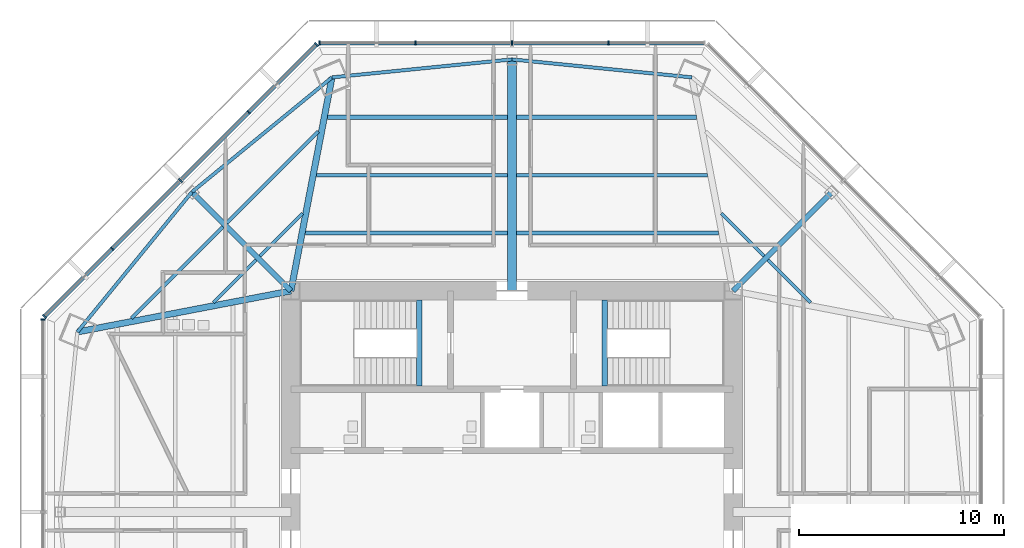
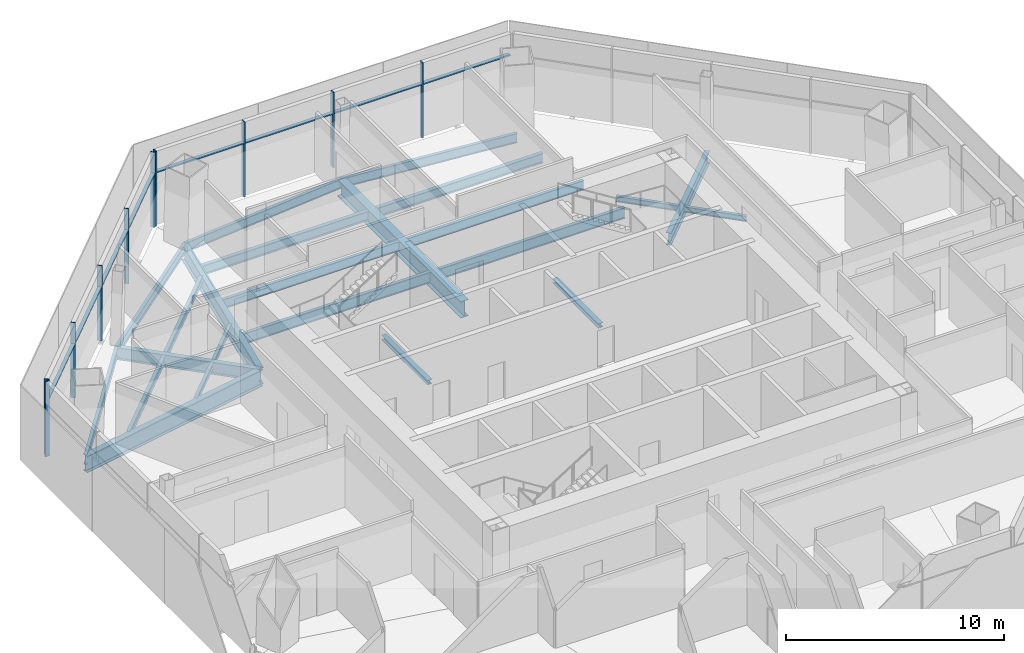
# One storey, part 5 of 14: 23 beams, 18 members, 3 elements without a shape of their own.
"""IFC4 building model written with IfcOpenShell, lengths in metres."""

from ifc_helpers import new_model, si_unit, direction, frame, origin, origin_2d, place, context, subcontext, project, spatial, rectangle, i_section, extrude, source, transform, mapped, material, material_profile, profile_set, type_object, type_shapes, element, aggregate, save


model = new_model("IFC4")

# Units and contexts
model_context = context("Model", 3, precision=1e-05, world=origin(), true_north=direction((0.0, 1.0)))
body_context = subcontext(model_context, "Body", "Model", "MODEL_VIEW")
ifc_project = project(units=[si_unit("LENGTHUNIT", "METRE"), si_unit("AREAUNIT", "SQUARE_METRE"), si_unit("VOLUMEUNIT", "CUBIC_METRE"), si_unit("PLANEANGLEUNIT", "RADIAN"), si_unit("MASSUNIT", "GRAM", prefix="KILO")], contexts=[model_context])

# Site, building, storey
site_placement = place(None, origin())
site = spatial("IfcSite", under=ifc_project, at=site_placement, CompositionType="ELEMENT")
building_placement = place(site_placement, origin())
building = spatial("IfcBuilding", under=site, at=building_placement, Name="Mashrafa Tower", CompositionType="ELEMENT")
storey_placement = place(building_placement, frame((0.0, 0.0, 180.60009765625)))
storey = spatial("IfcBuildingStorey", under=building, at=storey_placement, Name="L41", CompositionType="ELEMENT", Elevation=180.60009765625)

# Beams
ifc_material_1 = material(Name="Steel ASTM A992", Category="steel")
ifc_material_profile_1 = material_profile(ifc_material_1, i_section(OverallWidth=0.164794921875, OverallDepth=0.309814453125, WebThickness=0.005859375, FlangeThickness=0.009765625, FilletRadius=0.007568359375, at=origin_2d()), Name="W12X26")
ifc_profile_set_1 = profile_set([ifc_material_profile_1], Name="Steel ASTM A992")
beam_type_1 = type_object("IfcBeamType", Name="Beam W12X26", PredefinedType="BEAM", material=ifc_profile_set_1)
for number, where, z_axis, x_axis, name in (
    (1, (-14.59619140625, 10.226806640625, -0.320068359375), (0.707106781187, 0.707106781187, 0.0), (-0.707106781187, 0.707106781187, 0.0), "Floor beam L41 006"),
    (2, (-12.32177734375, 12.501220703125, -0.320068359375), (0.707106781187, 0.707106781187, 0.0), (-0.707106781187, 0.707106781187, 0.0), "Floor beam L41 012"),
    (3, (10.226806640625, 14.59619140625, -0.320068359375), (0.707106781187, -0.707106781187, 0.0), (0.707106781187, 0.707106781187, 0.0), "Floor beam L41 027"),
    (4, (12.501220703125, 12.32177734375, -0.320068359375), (0.707106781187, -0.707106781187, 0.0), (0.707106781187, 0.707106781187, 0.0), "Floor beam L41 030"),
):
    element("IfcBeam", number, at=place(storey_placement, frame(where, z_axis=z_axis, x_axis=x_axis)), inside=storey, type_object=beam_type_1, Name=name, PredefinedType="BEAM", context=body_context, shape_type="SweptSolid", body=[
        extrude(i_section(OverallWidth=0.164794921875, OverallDepth=0.309814453125, WebThickness=0.005859375, FlangeThickness=0.009765625, FilletRadius=0.007568359375, at=origin_2d()), origin(), (0.0, 0.0, 1.0), 2.962646484375),
    ])
ifc_material_2 = material(Name="Steel ASTM A992", Category="steel")
ifc_material_profile_2 = material_profile(ifc_material_2, i_section(OverallWidth=0.177734375, OverallDepth=0.406494140625, WebThickness=0.0078125, FlangeThickness=0.012939453125, FilletRadius=0.01025390625, at=origin_2d()), Name="W16X40")
ifc_profile_set_2 = profile_set([ifc_material_profile_2], Name="Steel ASTM A992")
beam_type_2 = type_object("IfcBeamType", Name="Beam W16X40", PredefinedType="BEAM", material=ifc_profile_set_2)
for number, where, z_axis, x_axis, name in (
    (5, (-18.586181640625, 9.459716796875, -0.368408203125), (0.707106781187, 0.707106781187, 0.0), (-0.707106781187, 0.707106781187, 0.0), "Floor beam L41 003"),
    (6, (-13.93310546875, 14.11279296875, -0.368408203125), (0.707106781187, 0.707106781187, 0.0), (-0.707106781187, 0.707106781187, 0.0), "Floor beam L41 008"),
):
    element("IfcBeam", number, at=place(storey_placement, frame(where, z_axis=z_axis, x_axis=x_axis)), inside=storey, type_object=beam_type_2, Name=name, PredefinedType="BEAM", context=body_context, shape_type="SweptSolid", body=[
        extrude(i_section(OverallWidth=0.177734375, OverallDepth=0.406494140625, WebThickness=0.0078125, FlangeThickness=0.012939453125, FilletRadius=0.01025390625, at=origin_2d()), origin(), (0.0, 0.0, 1.0), 6.326416015625),
    ])
ifc_material_3 = material(Name="Steel ASTM A992", Category="steel")
ifc_material_profile_3 = material_profile(ifc_material_3, i_section(OverallWidth=0.1650390625, OverallDepth=0.52587890625, WebThickness=0.0087890625, FlangeThickness=0.011474609375, FilletRadius=0.0126953125, at=origin_2d()), Name="W21X44")
ifc_profile_set_3 = profile_set([ifc_material_profile_3], Name="Steel ASTM A992")
beam_type_3 = type_object("IfcBeamType", Name="Beam W21X44", PredefinedType="BEAM", material=ifc_profile_set_3)
for number, where, z_axis, x_axis, name in (
    (7, (-9.556396484375, 16.455078125, -0.427978515625), (1.0, 0.0, 0.0), (0.0, 1.0, 0.0), "Floor beam L41 015"),
    (8, (0.20947265625, 16.455078125, -0.427978515625), (1.0, 0.0, 0.0), (0.0, 1.0, 0.0), "Floor beam L41 022"),
):
    element("IfcBeam", number, at=place(storey_placement, frame(where, z_axis=z_axis, x_axis=x_axis)), inside=storey, type_object=beam_type_3, Name=name, PredefinedType="BEAM", context=body_context, shape_type="SweptSolid", body=[
        extrude(i_section(OverallWidth=0.1650390625, OverallDepth=0.52587890625, WebThickness=0.0087890625, FlangeThickness=0.011474609375, FilletRadius=0.0126953125, at=origin_2d()), origin(), (0.0, 0.0, 1.0), 9.346923828125),
    ])
for number, where, z_axis, x_axis, name in (
    (9, (-15.634521484375, 15.634521484375, -0.427978515625), (-0.63335059718, -0.773864988904, 0.0), (0.773864988904, -0.63335059718, 0.0), "Spandrel beam L41 061"),
    (10, (-8.794677734375, 21.232421875, -0.427978515625), (-0.773864988904, -0.63335059718, 0.0), (0.63335059718, -0.773864988904, 0.0), "Spandrel beam L41 063"),
):
    element("IfcBeam", number, at=place(storey_placement, frame(where, z_axis=z_axis, x_axis=x_axis)), inside=storey, type_object=beam_type_3, Name=name, PredefinedType="BEAM", context=body_context, shape_type="SweptSolid", body=[
        extrude(i_section(OverallWidth=0.1650390625, OverallDepth=0.52587890625, WebThickness=0.0087890625, FlangeThickness=0.011474609375, FilletRadius=0.0126953125, at=origin_2d()), origin(), (0.0, 0.0, 1.0), 8.838623046875),
    ])
for number, where, z_axis, x_axis, name in (
    (11, (0.0, 22.110595703125, -0.427978515625), (-0.99505167472, -0.099358767287, 0.0), (0.099358767287, -0.99505167472, 0.0), "Spandrel beam L41 065"),
    (12, (8.794677734375, 21.232421875, -0.427978515625), (-0.99505167472, 0.099358767287, 0.0), (-0.099358767287, -0.99505167472, 0.0), "Spandrel beam L41 067"),
):
    element("IfcBeam", number, at=place(storey_placement, frame(where, z_axis=z_axis, x_axis=x_axis)), inside=storey, type_object=beam_type_3, Name=name, PredefinedType="BEAM", context=body_context, shape_type="SweptSolid", body=[
        extrude(i_section(OverallWidth=0.1650390625, OverallDepth=0.52587890625, WebThickness=0.0087890625, FlangeThickness=0.011474609375, FilletRadius=0.0126953125, at=origin_2d()), origin(), (0.0, 0.0, 1.0), 8.83837890625),
    ])
ifc_material_4 = material(Name="Steel ASTM A992", Category="steel")
ifc_material_profile_4 = material_profile(ifc_material_4, i_section(OverallWidth=0.209228515625, OverallDepth=0.533447265625, WebThickness=0.01025390625, FlangeThickness=0.015625, FilletRadius=0.012939453125, at=origin_2d()), Name="W21X62")
ifc_profile_set_4 = profile_set([ifc_material_profile_4], Name="Steel ASTM A992")
beam_type_4 = type_object("IfcBeamType", Name="Beam W21X62", PredefinedType="BEAM", material=ifc_profile_set_4)
for number, where, z_axis, x_axis, name in (
    (13, (-9.012939453125, 19.282958984375, -0.431884765625), (1.0, 0.0, 0.0), (0.0, 1.0, 0.0), "Floor beam L41 017"),
    (14, (0.20947265625, 19.282958984375, -0.431884765625), (1.0, 0.0, 0.0), (0.0, 1.0, 0.0), "Floor beam L41 023"),
):
    element("IfcBeam", number, at=place(storey_placement, frame(where, z_axis=z_axis, x_axis=x_axis)), inside=storey, type_object=beam_type_4, Name=name, PredefinedType="BEAM", context=body_context, shape_type="SweptSolid", body=[
        extrude(i_section(OverallWidth=0.209228515625, OverallDepth=0.533447265625, WebThickness=0.01025390625, FlangeThickness=0.015625, FilletRadius=0.012939453125, at=origin_2d()), origin(), (0.0, 0.0, 1.0), 8.803466796875),
    ])
ifc_material_5 = material(Name="Steel ASTM A992", Category="steel")
ifc_material_profile_5 = material_profile(ifc_material_5, i_section(OverallWidth=0.177978515625, OverallDepth=0.599365234375, WebThickness=0.010009765625, FlangeThickness=0.012939453125, FilletRadius=0.012939453125, at=origin_2d()), Name="W24X55")
ifc_profile_set_5 = profile_set([ifc_material_profile_5], Name="Steel ASTM A992")
beam_type_5 = type_object("IfcBeamType", Name="Beam W24X55", PredefinedType="BEAM", material=ifc_profile_set_5)
for number, where, z_axis, x_axis, name in (
    (15, (-10.10009765625, 13.627685546875, -0.46484375), (1.0, 0.0, 0.0), (0.0, 1.0, 0.0), "Floor beam L41 013"),
    (16, (0.20947265625, 13.627685546875, -0.46484375), (1.0, 0.0, 0.0), (0.0, 1.0, 0.0), "Floor beam L41 021"),
):
    element("IfcBeam", number, at=place(storey_placement, frame(where, z_axis=z_axis, x_axis=x_axis)), inside=storey, type_object=beam_type_5, Name=name, PredefinedType="BEAM", context=body_context, shape_type="SweptSolid", body=[
        extrude(i_section(OverallWidth=0.177978515625, OverallDepth=0.599365234375, WebThickness=0.010009765625, FlangeThickness=0.012939453125, FilletRadius=0.012939453125, at=origin_2d()), origin(), (0.0, 0.0, 1.0), 9.890625),
    ])
ifc_material_6 = material(Name="Steel ASTM A992", Category="steel")
ifc_material_profile_6 = material_profile(ifc_material_6, i_section(OverallWidth=0.25390625, OverallDepth=0.683349609375, WebThickness=0.012451171875, FlangeThickness=0.01904296875, FilletRadius=0.01513671875, at=origin_2d()), Name="W27X94")
ifc_profile_set_6 = profile_set([ifc_material_profile_6], Name="Steel ASTM A992")
beam_type_6 = type_object("IfcBeamType", Name="Beam W27X94", PredefinedType="BEAM", material=ifc_profile_set_6)
for number, where, z_axis, x_axis, name in (
    (17, (-10.800048828125, 10.800048828125, -0.5068359375), (-0.707106781187, 0.707106781187, 0.0), (-0.707106781187, -0.707106781187, 0.0), "Radial girder L41 046"),
    (18, (10.800048828125, 10.800048828125, -0.5068359375), (0.707106781187, 0.707106781187, 0.0), (-0.707106781187, 0.707106781187, 0.0), "Radial girder L41 055"),
):
    element("IfcBeam", number, at=place(storey_placement, frame(where, z_axis=z_axis, x_axis=x_axis)), inside=storey, type_object=beam_type_6, Name=name, PredefinedType="BEAM", context=body_context, shape_type="SweptSolid", body=[
        extrude(i_section(OverallWidth=0.25390625, OverallDepth=0.683349609375, WebThickness=0.012451171875, FlangeThickness=0.01904296875, FilletRadius=0.01513671875, at=origin_2d()), origin(), (0.0, 0.0, 1.0), 6.8369140625),
    ])
ifc_material_7 = material(Name="Steel ASTM A992", Category="steel")
ifc_material_profile_7 = material_profile(ifc_material_7, i_section(OverallWidth=0.307373046875, OverallDepth=0.927001953125, WebThickness=0.01953125, FlangeThickness=0.031982421875, FilletRadius=0.01904296875, at=origin_2d()), Name="W36X194")
ifc_profile_set_7 = profile_set([ifc_material_profile_7], Name="Steel ASTM A992")
beam_type_7 = type_object("IfcBeamType", Name="Beam W36X194", PredefinedType="BEAM", material=ifc_profile_set_7)
for number, where, z_axis, x_axis, name in (
    (19, (-10.800048828125, 10.800048828125, -0.628662109375), (-0.982021360566, -0.188769826489, 0.0), (0.188769826489, -0.982021360566, 0.0), "Radial girder L41 045"),
    (20, (-10.800048828125, 10.800048828125, -0.628662109375), (0.188769826489, 0.982021360566, 0.0), (-0.982021360566, 0.188769826489, 0.0), "Radial girder L41 047"),
):
    element("IfcBeam", number, at=place(storey_placement, frame(where, z_axis=z_axis, x_axis=x_axis)), inside=storey, type_object=beam_type_7, Name=name, PredefinedType="BEAM", context=body_context, shape_type="SweptSolid", body=[
        extrude(i_section(OverallWidth=0.307373046875, OverallDepth=0.927001953125, WebThickness=0.01953125, FlangeThickness=0.031982421875, FilletRadius=0.01904296875, at=origin_2d()), origin(), (0.0, 0.0, 1.0), 10.623291015625),
    ])
ifc_material_8 = material(Name="Steel ASTM A992", Category="steel")
ifc_material_profile_8 = material_profile(ifc_material_8, i_section(OverallWidth=0.419189453125, OverallDepth=0.927001953125, WebThickness=0.019287109375, FlangeThickness=0.031982421875, FilletRadius=0.020263671875, at=origin_2d()), Name="W36X231")
ifc_profile_set_8 = profile_set([ifc_material_profile_8], Name="Steel ASTM A992")
beam_type_8 = type_object("IfcBeamType", Name="Beam W36X231", PredefinedType="BEAM", material=ifc_profile_set_8)
beam_placement = place(storey_placement, frame((0.0, 10.800048828125, -0.628662109375), z_axis=(0.0, 1.0, 0.0), x_axis=(-1.0, 0.0, 0.0)))
element("IfcBeam", 21, at=beam_placement, inside=storey, type_object=beam_type_8, Name="Radial girder L41 049", PredefinedType="BEAM", context=body_context, shape_type="SweptSolid", body=[
    extrude(i_section(OverallWidth=0.419189453125, OverallDepth=0.927001953125, WebThickness=0.019287109375, FlangeThickness=0.031982421875, FilletRadius=0.020263671875, at=origin_2d()), origin(), (0.0, 0.0, 1.0), 11.310546875),
])
ifc_material_9 = material(Name="Steel ASTM A992", Category="steel")
ifc_material_profile_9 = material_profile(ifc_material_9, i_section(OverallWidth=0.25390625, OverallDepth=0.25390625, WebThickness=0.008544921875, FlangeThickness=0.01416015625, FilletRadius=0.010009765625, at=origin_2d()), Name="W10X49")
ifc_profile_set_9 = profile_set([ifc_material_profile_9], Name="Steel ASTM A992")
beam_type_9 = type_object("IfcBeamType", Name="Hoistway beam W10X49", PredefinedType="BEAM", material=ifc_profile_set_9)
for number, where, z_axis, x_axis, name in (
    (22, (-4.530029296875, 6.14990234375, -0.3271484375), (0.0, 1.0, 0.0), (-1.0, 0.0, 0.0), "Stair S1 landing beam L41"),
    (23, (4.530029296875, 6.14990234375, -0.3271484375), (0.0, 1.0, 0.0), (-1.0, 0.0, 0.0), "Stair S2 landing beam L41"),
):
    element("IfcBeam", number, at=place(storey_placement, frame(where, z_axis=z_axis, x_axis=x_axis)), inside=storey, type_object=beam_type_9, Name=name, PredefinedType="BEAM", context=body_context, shape_type="SweptSolid", body=[
        extrude(i_section(OverallWidth=0.25390625, OverallDepth=0.25390625, WebThickness=0.008544921875, FlangeThickness=0.01416015625, FilletRadius=0.010009765625, at=origin_2d()), origin(), (0.0, 0.0, 1.0), 4.2001953125),
    ])

# Curtain wall, members
ifc_material_10 = material(Name="Unitised aluminium curtain wall", Category="aluminium")
curtain_wall_type = type_object("IfcCurtainWallType", Name="Office curtain wall, zone 2 CW-B 225 deep", PredefinedType="NOTDEFINED", material=ifc_material_10)
curtain_wall_1_placement = place(storey_placement, origin())
curtain_wall_1 = element("IfcCurtainWall", 24, at=curtain_wall_1_placement, inside=storey, type_object=curtain_wall_type, Name="Office curtain wall, zone 2 L41 north", PredefinedType="NOTDEFINED")
ifc_material_11 = material(Name="Extruded aluminium mullion", Category="aluminium")
ifc_material_profile_10 = material_profile(ifc_material_11, rectangle(XDim=0.22509765625, YDim=0.06494140625, at=origin_2d()), Name="Mullion 65x225")
ifc_profile_set_10 = profile_set([ifc_material_profile_10], Name="Extruded aluminium mullion")
member_type_1 = type_object("IfcMemberType", Name="Mullion CW-B 65 x 225", PredefinedType="MULLION", material=ifc_profile_set_10)
shared_shape_1 = source(origin(), body_context, "Body", "SweptSolid", [
    extrude(rectangle(XDim=0.22509765625, YDim=0.06494140625, at=origin_2d()), origin(), (0.0, 0.0, 1.0), 4.199951171875),
])
type_shapes(member_type_1, [shared_shape_1])
member_1_placement = place(storey_placement, frame((4.715576171875, 22.90576171875, 0.0), z_axis=(0.0, 0.0, 1.0), x_axis=(0.0, -1.0, 0.0)))
member_1 = element("IfcMember", 25, at=member_1_placement, type_object=member_type_1, Name="CW-B mullion 2", PredefinedType="MULLION", context=body_context, shape_type="MappedRepresentation", body=[
    mapped(shared_shape_1, transform((0.0, 0.0, 0.0))),
])
member_2_placement = place(storey_placement, frame((0.0, 22.90576171875, 0.0), z_axis=(0.0, 0.0, 1.0), x_axis=(0.0, -1.0, 0.0)))
member_2 = element("IfcMember", 26, at=member_2_placement, type_object=member_type_1, Name="CW-B mullion 3", PredefinedType="MULLION", context=body_context, shape_type="MappedRepresentation", body=[
    mapped(shared_shape_1, transform((0.0, 0.0, 0.0))),
])
member_3_placement = place(storey_placement, frame((-4.715576171875, 22.90576171875, 0.0), z_axis=(0.0, 0.0, 1.0), x_axis=(0.0, -1.0, 0.0)))
member_3 = element("IfcMember", 27, at=member_3_placement, type_object=member_type_1, Name="CW-B mullion 4", PredefinedType="MULLION", context=body_context, shape_type="MappedRepresentation", body=[
    mapped(shared_shape_1, transform((0.0, 0.0, 0.0))),
])
member_4_placement = place(storey_placement, frame((-9.398681640625, 22.90576171875, 0.0), z_axis=(0.0, 0.0, 1.0), x_axis=(0.0, -1.0, 0.0)))
member_4 = element("IfcMember", 28, at=member_4_placement, type_object=member_type_1, Name="CW-B mullion 5", PredefinedType="MULLION", context=body_context, shape_type="MappedRepresentation", body=[
    mapped(shared_shape_1, transform((0.0, 0.0, 0.0))),
])

curtain_wall_2_placement = place(storey_placement, origin())
curtain_wall_2 = element("IfcCurtainWall", 29, at=curtain_wall_2_placement, inside=storey, type_object=curtain_wall_type, Name="Office curtain wall, zone 2 L41 north-west", PredefinedType="NOTDEFINED")
member_5_placement = place(storey_placement, frame((-9.55078125, 22.8427734375, 0.0), z_axis=(0.0, 0.0, 1.0), x_axis=(0.707106781187, -0.707106781187, 0.0)))
member_5 = element("IfcMember", 30, at=member_5_placement, type_object=member_type_1, Name="CW-B mullion 1", PredefinedType="MULLION", context=body_context, shape_type="MappedRepresentation", body=[
    mapped(shared_shape_1, transform((0.0, 0.0, 0.0))),
])
member_6_placement = place(storey_placement, frame((-12.8623046875, 19.53125, 0.0), z_axis=(0.0, 0.0, 1.0), x_axis=(0.707106781187, -0.707106781187, 0.0)))
member_6 = element("IfcMember", 31, at=member_6_placement, type_object=member_type_1, Name="CW-B mullion 2", PredefinedType="MULLION", context=body_context, shape_type="MappedRepresentation", body=[
    mapped(shared_shape_1, transform((0.0, 0.0, 0.0))),
])
member_7_placement = place(storey_placement, frame((-16.19677734375, 16.19677734375, 0.0), z_axis=(0.0, 0.0, 1.0), x_axis=(0.707106781187, -0.707106781187, 0.0)))
member_7 = element("IfcMember", 32, at=member_7_placement, type_object=member_type_1, Name="CW-B mullion 3", PredefinedType="MULLION", context=body_context, shape_type="MappedRepresentation", body=[
    mapped(shared_shape_1, transform((0.0, 0.0, 0.0))),
])
member_8_placement = place(storey_placement, frame((-19.53125, 12.8623046875, 0.0), z_axis=(0.0, 0.0, 1.0), x_axis=(0.707106781187, -0.707106781187, 0.0)))
member_8 = element("IfcMember", 33, at=member_8_placement, type_object=member_type_1, Name="CW-B mullion 4", PredefinedType="MULLION", context=body_context, shape_type="MappedRepresentation", body=[
    mapped(shared_shape_1, transform((0.0, 0.0, 0.0))),
])
member_9_placement = place(storey_placement, frame((-22.8427734375, 9.55078125, 0.0), z_axis=(0.0, 0.0, 1.0), x_axis=(0.707106781187, -0.707106781187, 0.0)))
member_9 = element("IfcMember", 34, at=member_9_placement, type_object=member_type_1, Name="CW-B mullion 5", PredefinedType="MULLION", context=body_context, shape_type="MappedRepresentation", body=[
    mapped(shared_shape_1, transform((0.0, 0.0, 0.0))),
])

# Curtain wall, member
curtain_wall_3_placement = place(storey_placement, origin())
curtain_wall_3 = element("IfcCurtainWall", 35, at=curtain_wall_3_placement, inside=storey, type_object=curtain_wall_type, Name="Office curtain wall, zone 2 L41 west", PredefinedType="NOTDEFINED")
member_10_placement = place(storey_placement, frame((-22.90576171875, 9.398681640625, 0.0), z_axis=(0.0, 0.0, 1.0), x_axis=(1.0, 0.0, 0.0)))
member_10 = element("IfcMember", 36, at=member_10_placement, type_object=member_type_1, Name="CW-B mullion 1", PredefinedType="MULLION", context=body_context, shape_type="MappedRepresentation", body=[
    mapped(shared_shape_1, transform((0.0, 0.0, 0.0))),
])
aggregate(curtain_wall_3, [member_10])

# Member
ifc_material_12 = material(Name="Extruded aluminium transom", Category="aluminium")
ifc_material_profile_11 = material_profile(ifc_material_12, rectangle(XDim=0.179931640625, YDim=0.080078125, at=origin_2d()), Name="Transom 80x180")
ifc_profile_set_11 = profile_set([ifc_material_profile_11], Name="Extruded aluminium transom")
member_type_2 = type_object("IfcMemberType", Name="Transom CW-B 80 x 180", PredefinedType="MULLION", material=ifc_profile_set_11)
shared_shape_2 = source(origin(), body_context, "Body", "SweptSolid", [
    extrude(rectangle(XDim=0.179931640625, YDim=0.080078125, at=origin_2d()), origin(), (0.0, 0.0, 1.0), 4.6181640625),
])
member_11_placement = place(storey_placement, frame((9.3662109375, 22.90576171875, 3.0), z_axis=(-1.0, 0.0, 0.0), x_axis=(0.0, -1.0, 0.0)))
member_11 = element("IfcMember", 37, at=member_11_placement, type_object=member_type_2, Name="CW-B transom 1", PredefinedType="MULLION", context=body_context, shape_type="MappedRepresentation", body=[
    mapped(shared_shape_2, transform((0.0, 0.0, 0.0))),
])

member_12_placement = place(storey_placement, frame((-4.748046875, 22.90576171875, 3.0), z_axis=(-1.0, 0.0, 0.0), x_axis=(0.0, -1.0, 0.0)))
member_12 = element("IfcMember", 38, at=member_12_placement, type_object=member_type_2, Name="CW-B transom 4", PredefinedType="MULLION", context=body_context, shape_type="MappedRepresentation", body=[
    mapped(shared_shape_2, transform((0.0, 0.0, 0.0))),
])

member_13_placement = place(storey_placement, frame((-9.573974609375, 22.81982421875, 3.0), z_axis=(-0.707080347782, -0.707133213603, 0.0), x_axis=(0.707133213603, -0.707080347782, 0.0)))
member_13 = element("IfcMember", 39, at=member_13_placement, type_object=member_type_2, Name="CW-B transom 1", PredefinedType="MULLION", context=body_context, shape_type="MappedRepresentation", body=[
    mapped(shared_shape_2, transform((0.0, 0.0, 0.0))),
])

member_14_placement = place(storey_placement, frame((-19.55419921875, 12.83935546875, 3.0), z_axis=(-0.707133213603, -0.707080347782, 0.0), x_axis=(0.707080347782, -0.707133213603, 0.0)))
member_14 = element("IfcMember", 40, at=member_14_placement, type_object=member_type_2, Name="CW-B transom 4", PredefinedType="MULLION", context=body_context, shape_type="MappedRepresentation", body=[
    mapped(shared_shape_2, transform((0.0, 0.0, 0.0))),
])

shared_shape_3 = source(origin(), body_context, "Body", "SweptSolid", [
    extrude(rectangle(XDim=0.179931640625, YDim=0.080078125, at=origin_2d()), origin(), (0.0, 0.0, 1.0), 4.650634765625),
])
type_shapes(member_type_2, [shared_shape_2, shared_shape_3])
member_15_placement = place(storey_placement, frame((4.68310546875, 22.90576171875, 3.0), z_axis=(-1.0, 0.0, 0.0), x_axis=(0.0, -1.0, 0.0)))
member_15 = element("IfcMember", 41, at=member_15_placement, type_object=member_type_2, Name="CW-B transom 2", PredefinedType="MULLION", context=body_context, shape_type="MappedRepresentation", body=[
    mapped(shared_shape_3, transform((0.0, 0.0, 0.0))),
])

member_16_placement = place(storey_placement, frame((-0.032470703125, 22.90576171875, 3.0), z_axis=(-1.0, 0.0, 0.0), x_axis=(0.0, -1.0, 0.0)))
member_16 = element("IfcMember", 42, at=member_16_placement, type_object=member_type_2, Name="CW-B transom 3", PredefinedType="MULLION", context=body_context, shape_type="MappedRepresentation", body=[
    mapped(shared_shape_3, transform((0.0, 0.0, 0.0))),
])

aggregate(curtain_wall_1, [member_1, member_2, member_3, member_4, member_11, member_15, member_16, member_12])

member_17_placement = place(storey_placement, frame((-12.88525390625, 19.50830078125, 3.0), z_axis=(-0.707106781187, -0.707106781187, 0.0), x_axis=(0.707106781187, -0.707106781187, 0.0)))
member_17 = element("IfcMember", 43, at=member_17_placement, type_object=member_type_2, Name="CW-B transom 2", PredefinedType="MULLION", context=body_context, shape_type="MappedRepresentation", body=[
    mapped(shared_shape_3, transform((0.0, 0.0, 0.0))),
])

member_18_placement = place(storey_placement, frame((-16.2197265625, 16.173828125, 3.0), z_axis=(-0.707106781187, -0.707106781187, 0.0), x_axis=(0.707106781187, -0.707106781187, 0.0)))
member_18 = element("IfcMember", 44, at=member_18_placement, type_object=member_type_2, Name="CW-B transom 3", PredefinedType="MULLION", context=body_context, shape_type="MappedRepresentation", body=[
    mapped(shared_shape_3, transform((0.0, 0.0, 0.0))),
])

aggregate(curtain_wall_2, [member_5, member_6, member_7, member_8, member_9, member_13, member_17, member_18, member_14])

save(model, "model.ifc")
